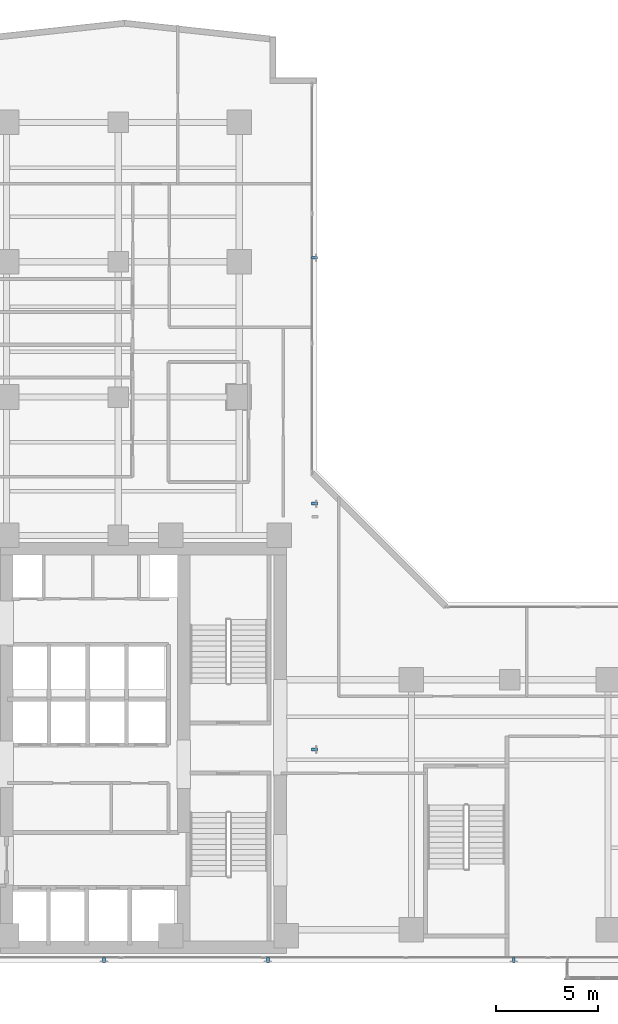
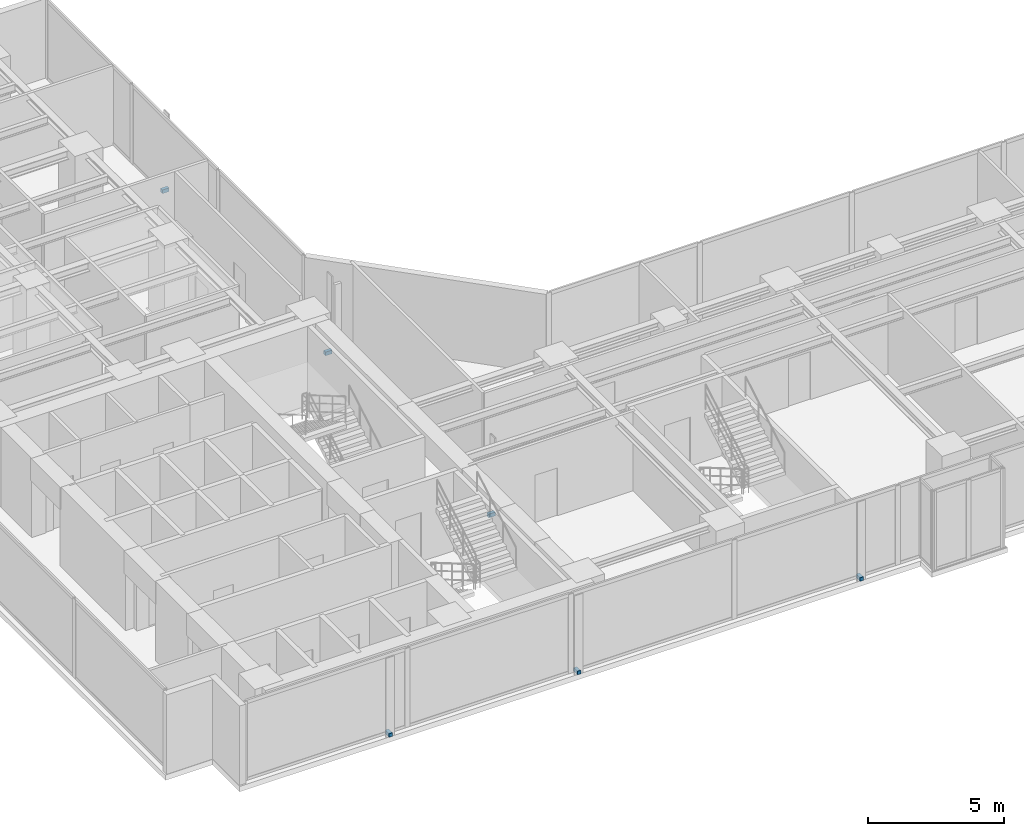
# One storey, part 23 of 27: 6 discrete accessories.
"""IFC4 building model written with IfcOpenShell, lengths in metres."""

from ifc_helpers import new_model, si_unit, direction, frame, origin, origin_with_axes, origin_2d, place, context, subcontext, project, spatial, rectangle, extrude, source, transform, mapped, material, type_object, element, save


model = new_model("IFC4")

# Units and contexts
model_context = context("Model", 3, precision=1e-05, world=origin(), true_north=direction((0.0, 1.0)))
body_context = subcontext(model_context, "Body", "Model", "MODEL_VIEW")
ifc_project = project(units=[si_unit("LENGTHUNIT", "METRE"), si_unit("AREAUNIT", "SQUARE_METRE"), si_unit("VOLUMEUNIT", "CUBIC_METRE"), si_unit("PLANEANGLEUNIT", "RADIAN"), si_unit("MASSUNIT", "GRAM", prefix="KILO")], contexts=[model_context])

# Site, building, storey
site_placement = place(None, origin())
site = spatial("IfcSite", under=ifc_project, at=site_placement, CompositionType="ELEMENT")
building_placement = place(site_placement, origin())
building = spatial("IfcBuilding", under=site, at=building_placement, Name="Kolvaren Waterfront Exchange", CompositionType="ELEMENT")
storey_placement = place(building_placement, frame((0.0, 0.0, 191.800048828125)))
storey = spatial("IfcBuildingStorey", under=building, at=storey_placement, Name="L49", CompositionType="ELEMENT", Elevation=191.800048828125)

# Discrete accessories
ifc_material = material(Name="Stainless steel 316", Category="steel")
discrete_accessory_type = type_object("IfcDiscreteAccessoryType", Name="ARC-BRK-FIN", PredefinedType="BRACKET", material=ifc_material)
shared_shape = source(origin_with_axes(), body_context, "Body", "SweptSolid", [
    extrude(rectangle(XDim=0.280029296875, YDim=0.139892578125, at=origin_2d()), origin(), (0.0, 0.0, 1.0), 0.159912109375),
])
for number, where, z_axis, x_axis, name in (
    (1, (12.199951171875, 3.719970703125, 0.0), (0.0, 0.0, 1.0), (0.0, -1.0, 0.0), "L49 bronze fin anchor bracket FIN-L49-S1"),
    (2, (20.199951171875, 3.719970703125, 0.0), (0.0, 0.0, 1.0), (0.0, -1.0, 0.0), "L49 bronze fin anchor bracket FIN-L49-S2"),
    (3, (32.199951171875, 3.719970703125, 0.0), (0.0, 0.0, 1.0), (0.0, -1.0, 0.0), "L49 bronze fin anchor bracket FIN-L49-S3"),
    (4, (22.47998046875, 14.0, 0.0), (0.0, 0.0, 1.0), (1.0, 0.0, 0.0), "L49 bronze fin anchor bracket FIN-L49-E1"),
    (5, (22.47998046875, 26.0, 0.0), (0.0, 0.0, 1.0), (1.0, 0.0, 0.0), "L49 bronze fin anchor bracket FIN-L49-E2"),
    (6, (22.47998046875, 38.0, 0.0), (0.0, 0.0, 1.0), (1.0, 0.0, 0.0), "L49 bronze fin anchor bracket FIN-L49-E3"),
):
    element("IfcDiscreteAccessory", number, at=place(storey_placement, frame(where, z_axis=z_axis, x_axis=x_axis)), inside=storey, type_object=discrete_accessory_type, Name=name, PredefinedType="BRACKET", context=body_context, shape_type="MappedRepresentation", body=[
        mapped(shared_shape, transform((0.0, 0.0, 0.0), x_axis=(1.0, 0.0, 0.0), y_axis=(0.0, 1.0, 0.0), z_axis=(0.0, 0.0, 1.0), scale=1.0)),
    ])

save(model, "model.ifc")
